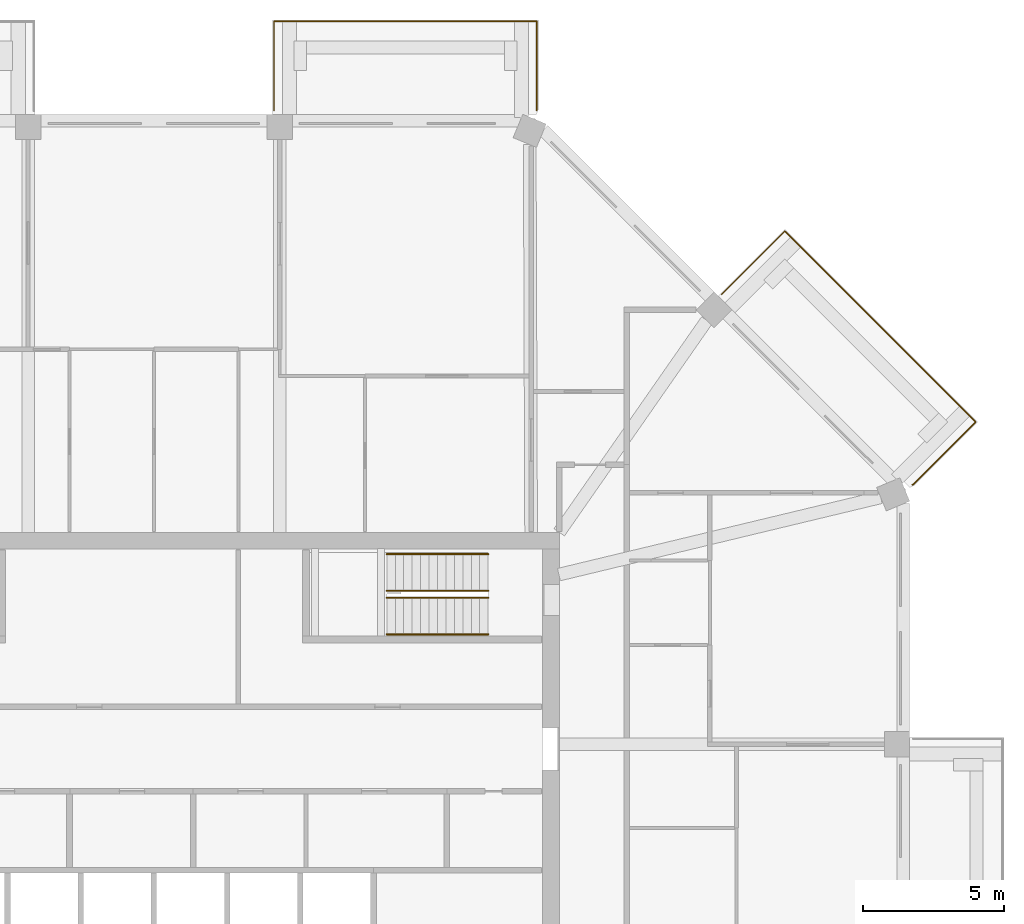
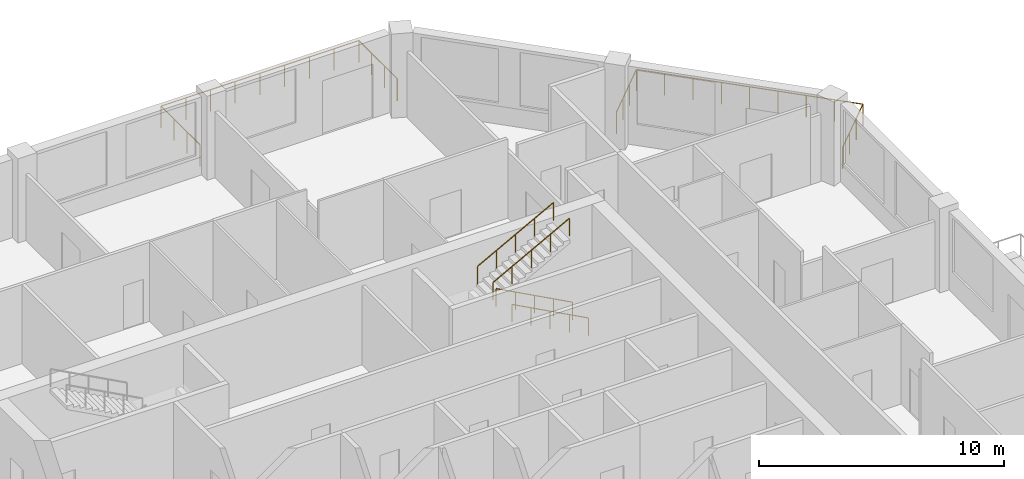
# One storey, part 12 of 12: 6 railings.
"""IFC4 building model written with IfcOpenShell, lengths in metres."""

from ifc_helpers import new_model, si_unit, direction, frame, origin, origin_2d, place, context, subcontext, project, spatial, circle, extrude, material, constituent, constituent_set, type_object, element, save


model = new_model("IFC4")

# Units and contexts
model_context = context("Model", 3, precision=1e-05, world=origin(), true_north=direction((0.0, 1.0)))
body_context = subcontext(model_context, "Body", "Model", "MODEL_VIEW")
ifc_project = project(units=[si_unit("LENGTHUNIT", "METRE"), si_unit("AREAUNIT", "SQUARE_METRE"), si_unit("VOLUMEUNIT", "CUBIC_METRE"), si_unit("PLANEANGLEUNIT", "RADIAN"), si_unit("MASSUNIT", "GRAM", prefix="KILO")], contexts=[model_context])

# Site, building, storey
site_placement = place(None, origin())
site = spatial("IfcSite", under=ifc_project, at=site_placement, CompositionType="ELEMENT")
building_placement = place(site_placement, origin())
building = spatial("IfcBuilding", under=site, at=building_placement, Name="Msitu Wima Residences", CompositionType="ELEMENT")
storey_placement = place(building_placement, frame((0.0, 0.0, 218.10009765625)))
storey = spatial("IfcBuildingStorey", under=building, at=storey_placement, Name="L50", CompositionType="ELEMENT", Elevation=218.10009765625)

# Railings
ifc_material_1 = material(Name="Steel S355", Category="steel")
ifc_constituent_1 = constituent(ifc_material_1, Name="Steel S355")
ifc_material_2 = material(Name="Weathering patina")
ifc_constituent_2 = constituent(ifc_material_2, Name="Weathering patina")
ifc_constituent_set_1 = constituent_set(constituents=[ifc_constituent_1, ifc_constituent_2], Name="Steel S355")
railing_type_1 = type_object("IfcRailingType", Name="Balcony guard GR1100", PredefinedType="GUARDRAIL", material=ifc_constituent_set_1)
railing_1_placement = place(storey_placement, frame((20.171630859375, 20.45458984375, 0.0)))
element("IfcRailing", 1, at=railing_1_placement, inside=storey, type_object=railing_type_1, Name="Balcony guard NE0 L50", PredefinedType="GUARDRAIL", context=body_context, shape_type="SweptSolid", body=[
    extrude(circle(Radius=0.02392578125, at=origin_2d()), frame((0.0, 0.0, 1.076171875), z_axis=(0.707106781187, 0.707106781187, 0.0), x_axis=(-0.707106781187, 0.707106781187, 0.0)), (0.0, 0.0, 1.0), 3.169921875),
    extrude(circle(Radius=0.02392578125, at=origin_2d()), frame((2.241455078125, 2.241455078125, 1.076171875), z_axis=(0.707106781187, -0.707106781187, 0.0), x_axis=(0.707106781187, 0.707106781187, 0.0)), (0.0, 0.0, 1.0), 9.58837890625),
    extrude(circle(Radius=0.02392578125, at=origin_2d()), frame((9.021484375, -4.53857421875, 1.076171875), z_axis=(-0.707106781187, -0.707106781187, 0.0), x_axis=(0.707106781187, -0.707106781187, 0.0)), (0.0, 0.0, 1.0), 3.136474609375),
    extrude(circle(Radius=0.02392578125, at=origin_2d()), frame((6.8037109375, -6.75634765625, 1.076171875), z_axis=(-0.92426142649, -0.38176015442, 0.0), x_axis=(0.38176015442, -0.92426142649, 0.0)), (0.0, 0.0, 1.0), 0.036376953125),
    extrude(circle(Radius=0.02099609375, at=origin_2d()), origin(), (0.0, 0.0, 1.0), 1.052001953125),
    extrude(circle(Radius=0.02099609375, at=origin_2d()), frame((0.7470703125, 0.7470703125, 0.0)), (0.0, 0.0, 1.0), 1.052001953125),
    extrude(circle(Radius=0.02099609375, at=origin_2d()), frame((1.494384765625, 1.494384765625, 0.0)), (0.0, 0.0, 1.0), 1.052001953125),
    extrude(circle(Radius=0.02099609375, at=origin_2d()), frame((2.241455078125, 2.241455078125, 0.0)), (0.0, 0.0, 1.0), 1.052001953125),
    extrude(circle(Radius=0.02099609375, at=origin_2d()), frame((3.0888671875, 1.39404296875, 0.0)), (0.0, 0.0, 1.0), 1.052001953125),
    extrude(circle(Radius=0.02099609375, at=origin_2d()), frame((3.9365234375, 0.54638671875, 0.0)), (0.0, 0.0, 1.0), 1.052001953125),
    extrude(circle(Radius=0.02099609375, at=origin_2d()), frame((4.783935546875, -0.301025390625, 0.0)), (0.0, 0.0, 1.0), 1.052001953125),
    extrude(circle(Radius=0.02099609375, at=origin_2d()), frame((5.63134765625, -1.1484375, 0.0)), (0.0, 0.0, 1.0), 1.052001953125),
    extrude(circle(Radius=0.02099609375, at=origin_2d()), frame((6.47900390625, -1.99609375, 0.0)), (0.0, 0.0, 1.0), 1.052001953125),
    extrude(circle(Radius=0.02099609375, at=origin_2d()), frame((7.326416015625, -2.843505859375, 0.0)), (0.0, 0.0, 1.0), 1.052001953125),
    extrude(circle(Radius=0.02099609375, at=origin_2d()), frame((8.174072265625, -3.691162109375, 0.0)), (0.0, 0.0, 1.0), 1.052001953125),
    extrude(circle(Radius=0.02099609375, at=origin_2d()), frame((9.021484375, -4.53857421875, 0.0)), (0.0, 0.0, 1.0), 1.052001953125),
    extrude(circle(Radius=0.02099609375, at=origin_2d()), frame((8.2822265625, -5.27783203125, 0.0)), (0.0, 0.0, 1.0), 1.052001953125),
    extrude(circle(Radius=0.02099609375, at=origin_2d()), frame((7.54296875, -6.01708984375, 0.0)), (0.0, 0.0, 1.0), 1.052001953125),
    extrude(circle(Radius=0.02099609375, at=origin_2d()), frame((6.8037109375, -6.75634765625, 0.0)), (0.0, 0.0, 1.0), 1.052001953125),
    extrude(circle(Radius=0.02099609375, at=origin_2d()), frame((6.77001953125, -6.770263671875, 0.0)), (0.0, 0.0, 1.0), 1.052001953125),
])
railing_2_placement = place(storey_placement, frame((4.2685546875, 26.97998046875, 0.0)))
element("IfcRailing", 2, at=railing_2_placement, inside=storey, type_object=railing_type_1, Name="Balcony guard N0 L50", PredefinedType="GUARDRAIL", context=body_context, shape_type="SweptSolid", body=[
    extrude(circle(Radius=0.02392578125, at=origin_2d()), frame((0.0, 0.0, 1.076171875), z_axis=(0.0, 1.0, 0.0), x_axis=(-1.0, 0.0, 0.0)), (0.0, 0.0, 1.0), 3.169921875),
    extrude(circle(Radius=0.02392578125, at=origin_2d()), frame((0.0, 3.169921875, 1.076171875), z_axis=(1.0, 0.0, 0.0), x_axis=(0.0, 1.0, 0.0)), (0.0, 0.0, 1.0), 9.33740234375),
    extrude(circle(Radius=0.02392578125, at=origin_2d()), frame((9.33740234375, 3.169921875, 1.076171875), z_axis=(0.0, -1.0, 0.0), x_axis=(1.0, 0.0, 0.0)), (0.0, 0.0, 1.0), 3.136474609375),
    extrude(circle(Radius=0.02392578125, at=origin_2d()), frame((9.33740234375, 0.033447265625, 1.076171875), z_axis=(-0.384136806859, -0.923276184907, 0.0), x_axis=(0.923276184907, -0.384136806859, 0.0)), (0.0, 0.0, 1.0), 0.0361328125),
    extrude(circle(Radius=0.02099609375, at=origin_2d()), origin(), (0.0, 0.0, 1.0), 1.052001953125),
    extrude(circle(Radius=0.02099609375, at=origin_2d()), frame((0.0, 1.056640625, 0.0)), (0.0, 0.0, 1.0), 1.052001953125),
    extrude(circle(Radius=0.02099609375, at=origin_2d()), frame((0.0, 2.11328125, 0.0)), (0.0, 0.0, 1.0), 1.052001953125),
    extrude(circle(Radius=0.02099609375, at=origin_2d()), frame((0.0, 3.169921875, 0.0)), (0.0, 0.0, 1.0), 1.052001953125),
    extrude(circle(Radius=0.02099609375, at=origin_2d()), frame((1.167236328125, 3.169921875, 0.0)), (0.0, 0.0, 1.0), 1.052001953125),
    extrude(circle(Radius=0.02099609375, at=origin_2d()), frame((2.33447265625, 3.169921875, 0.0)), (0.0, 0.0, 1.0), 1.052001953125),
    extrude(circle(Radius=0.02099609375, at=origin_2d()), frame((3.50146484375, 3.169921875, 0.0)), (0.0, 0.0, 1.0), 1.052001953125),
    extrude(circle(Radius=0.02099609375, at=origin_2d()), frame((4.668701171875, 3.169921875, 0.0)), (0.0, 0.0, 1.0), 1.052001953125),
    extrude(circle(Radius=0.02099609375, at=origin_2d()), frame((5.8359375, 3.169921875, 0.0)), (0.0, 0.0, 1.0), 1.052001953125),
    extrude(circle(Radius=0.02099609375, at=origin_2d()), frame((7.0029296875, 3.169921875, 0.0)), (0.0, 0.0, 1.0), 1.052001953125),
    extrude(circle(Radius=0.02099609375, at=origin_2d()), frame((8.170166015625, 3.169921875, 0.0)), (0.0, 0.0, 1.0), 1.052001953125),
    extrude(circle(Radius=0.02099609375, at=origin_2d()), frame((9.33740234375, 3.169921875, 0.0)), (0.0, 0.0, 1.0), 1.052001953125),
    extrude(circle(Radius=0.02099609375, at=origin_2d()), frame((9.33740234375, 2.12451171875, 0.0)), (0.0, 0.0, 1.0), 1.052001953125),
    extrude(circle(Radius=0.02099609375, at=origin_2d()), frame((9.33740234375, 1.078857421875, 0.0)), (0.0, 0.0, 1.0), 1.052001953125),
    extrude(circle(Radius=0.02099609375, at=origin_2d()), frame((9.33740234375, 0.033447265625, 0.0)), (0.0, 0.0, 1.0), 1.052001953125),
    extrude(circle(Radius=0.02099609375, at=origin_2d()), frame((9.323486328125, 0.0, 0.0)), (0.0, 0.0, 1.0), 1.052001953125),
])
ifc_constituent_3 = constituent(ifc_material_1, Name="Steel S355")
ifc_material_3 = material(Name="Black powder coating")
ifc_constituent_4 = constituent(ifc_material_3, Name="Black powder coating")
ifc_constituent_set_2 = constituent_set(constituents=[ifc_constituent_3, ifc_constituent_4], Name="Steel S355")
railing_type_2 = type_object("IfcRailingType", Name="Stair handrail HR1", PredefinedType="HANDRAIL", material=ifc_constituent_set_2)
for number, where, name in (
    (3, (11.875, 8.375, 0.161376953125), "Stair 3 handrail"),
    (4, (11.875, 9.675048828125, 0.161376953125), "Stair 3 handrail"),
):
    element("IfcRailing", number, at=place(storey_placement, frame(where)), inside=storey, type_object=railing_type_2, Name=name, PredefinedType="HANDRAIL", context=body_context, shape_type="SweptSolid", body=[
        extrude(circle(Radius=0.02392578125, at=origin_2d()), frame((0.0, 0.0, 0.8759765625), z_axis=(-0.880474934443, 0.0, 0.474092701714), x_axis=(0.0, -1.0, 0.0)), (0.0, 0.0, 1.0), 4.0888671875),
        extrude(circle(Radius=0.02099609375, at=origin_2d()), origin(), (0.0, 0.0, 1.0), 0.851806640625),
        extrude(circle(Radius=0.02099609375, at=origin_2d()), frame((-0.89990234375, 0.0, 0.484619140625)), (0.0, 0.0, 1.0), 0.851806640625),
        extrude(circle(Radius=0.02099609375, at=origin_2d()), frame((-1.800048828125, 0.0, 0.96923828125)), (0.0, 0.0, 1.0), 0.851806640625),
        extrude(circle(Radius=0.02099609375, at=origin_2d()), frame((-2.7001953125, 0.0, 1.453857421875)), (0.0, 0.0, 1.0), 0.851806640625),
        extrude(circle(Radius=0.02099609375, at=origin_2d()), frame((-3.60009765625, 0.0, 1.9384765625)), (0.0, 0.0, 1.0), 0.851806640625),
    ])
for number, where, name in (
    (5, (8.27490234375, 9.925048828125, 2.261474609375), "Stair 3 handrail"),
    (6, (8.27490234375, 11.22509765625, 2.261474609375), "Stair 3 handrail"),
):
    element("IfcRailing", number, at=place(storey_placement, frame(where)), inside=storey, type_object=railing_type_2, Name=name, PredefinedType="HANDRAIL", context=body_context, shape_type="SweptSolid", body=[
        extrude(circle(Radius=0.02392578125, at=origin_2d()), frame((0.0, 0.0, 0.8759765625), z_axis=(0.880474934443, 0.0, 0.474092701714), x_axis=(0.0, 1.0, 0.0)), (0.0, 0.0, 1.0), 4.0888671875),
        extrude(circle(Radius=0.02099609375, at=origin_2d()), origin(), (0.0, 0.0, 1.0), 0.851806640625),
        extrude(circle(Radius=0.02099609375, at=origin_2d()), frame((0.89990234375, 0.0, 0.484619140625)), (0.0, 0.0, 1.0), 0.851806640625),
        extrude(circle(Radius=0.02099609375, at=origin_2d()), frame((1.800048828125, 0.0, 0.96923828125)), (0.0, 0.0, 1.0), 0.851806640625),
        extrude(circle(Radius=0.02099609375, at=origin_2d()), frame((2.7001953125, 0.0, 1.453857421875)), (0.0, 0.0, 1.0), 0.851806640625),
        extrude(circle(Radius=0.02099609375, at=origin_2d()), frame((3.60009765625, 0.0, 1.9384765625)), (0.0, 0.0, 1.0), 0.851806640625),
    ])

save(model, "model.ifc")
